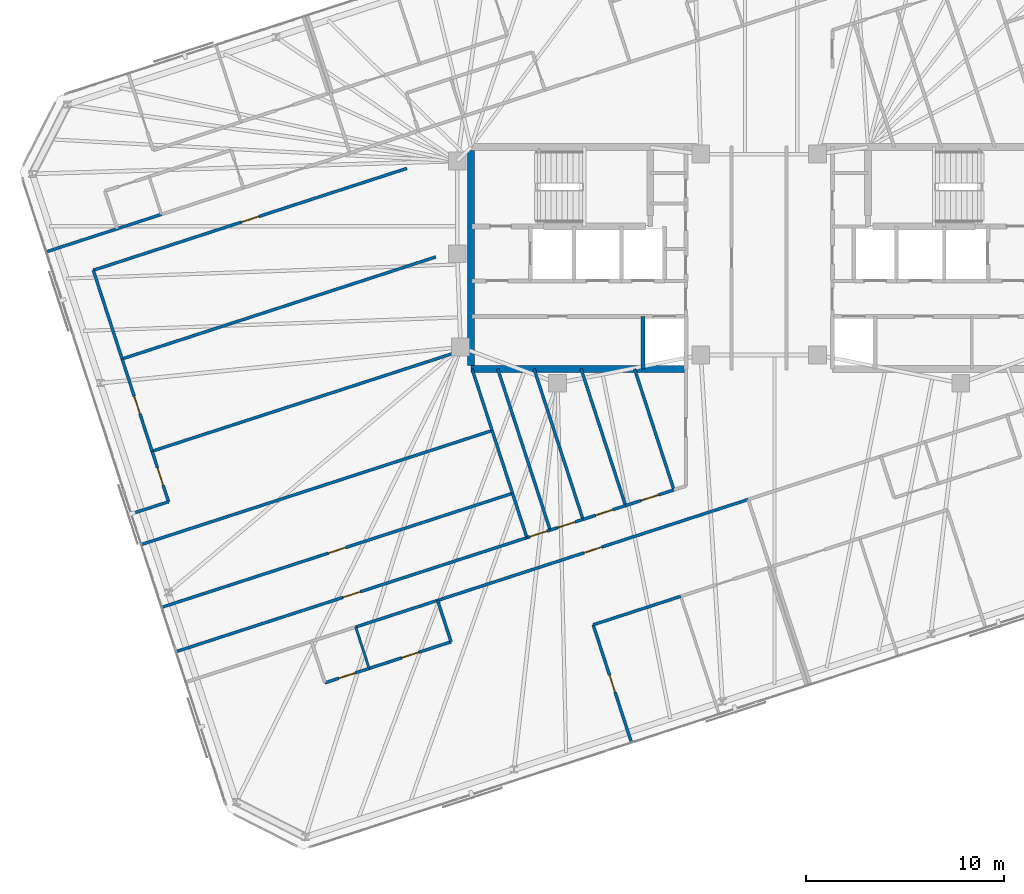
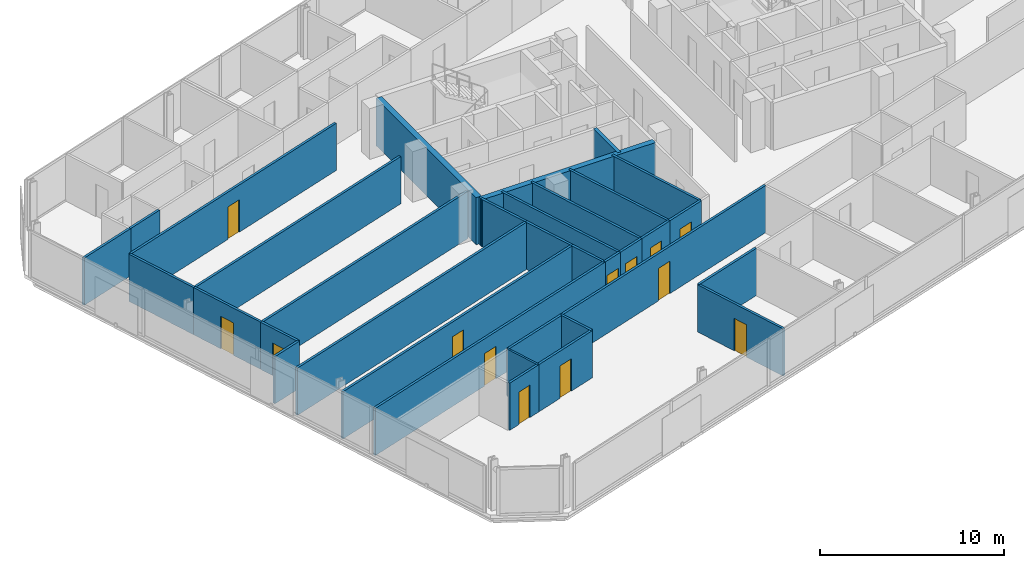
# One storey, part 13 of 20: 34 walls, 13 doors, 13 openings.
"""IFC4 building model written with IfcOpenShell, lengths in metres."""

from ifc_helpers import new_model, si_unit, direction, frame, frame_2d, origin, place, context, subcontext, project, spatial, rectangle, extrude, material, layer, layer_set, type_object, element, fill, save


model = new_model("IFC4")

# Units and contexts
model_context = context("Model", 3, precision=1e-05, world=origin(), true_north=direction((0.0, 1.0)))
body_context = subcontext(model_context, "Body", "Model", "MODEL_VIEW")
ifc_project = project(units=[si_unit("LENGTHUNIT", "METRE"), si_unit("AREAUNIT", "SQUARE_METRE"), si_unit("VOLUMEUNIT", "CUBIC_METRE"), si_unit("PLANEANGLEUNIT", "RADIAN"), si_unit("MASSUNIT", "GRAM", prefix="KILO")], contexts=[model_context])

# Site, building, storey
site_placement = place(None, origin())
site = spatial("IfcSite", under=ifc_project, at=site_placement, CompositionType="ELEMENT")
building_placement = place(site_placement, origin())
building = spatial("IfcBuilding", under=site, at=building_placement, Name="Menara Jurai Vektor", CompositionType="ELEMENT")
storey_placement = place(building_placement, frame((0.0, 0.0, 224.300048828125)))
storey = spatial("IfcBuildingStorey", under=building, at=storey_placement, Name="L59", CompositionType="ELEMENT", Elevation=224.300048828125)

# Walls
ifc_material_1 = material(Name="Gypsum Fireboard Partition", Category="gypsum")
ifc_layer_1 = layer(ifc_material_1, 0.14990234375)
ifc_layer_set_1 = layer_set([ifc_layer_1], Name="Gypsum Fireboard Partition")
wall_type_1 = type_object("IfcWallType", Name="INT-WALL-CORR-150", PredefinedType="PARTITIONING", material=ifc_layer_set_1)
wall_1_placement = place(storey_placement, frame((-36.01220703125, 0.314208984375, 0.0), z_axis=(0.0, 0.0, 1.0), x_axis=(0.951071182868, 0.308971851659, 0.0)))
element("IfcWall", 1, at=wall_1_placement, inside=storey, type_object=wall_type_1, Name="Interior Wall IW-150 L59", PredefinedType="PARTITIONING", context=body_context, shape_type="SweptSolid", body=[
    extrude(rectangle(XDim=3.77001953125, YDim=0.14990234375, at=frame_2d((1.885009765625, 0.0))), origin(), (0.0, 0.0, 1.0), 3.125),
])
wall_2_placement = place(storey_placement, frame((-32.4267578125, 1.47900390625, 0.0), z_axis=(0.0, 0.0, 1.0), x_axis=(0.951045519245, 0.309050837767, 0.0)))
element("IfcWall", 2, at=wall_2_placement, inside=storey, type_object=wall_type_1, Name="Interior Wall IW-150 L59", PredefinedType="PARTITIONING", context=body_context, shape_type="SweptSolid", body=[
    extrude(rectangle(XDim=2.35009765625, YDim=0.14990234375, at=frame_2d((1.175048828125, 0.0))), origin(), (0.0, 0.0, 1.0), 3.125),
])

# Wall, opening, door
wall_3_placement = place(storey_placement, frame((-16.241943359375, -17.292236328125, 0.0), z_axis=(0.0, 0.0, 1.0), x_axis=(0.951056800106, 0.309016120894, 0.0)))
wall_3 = element("IfcWall", 3, at=wall_3_placement, inside=storey, type_object=wall_type_1, Name="Interior Wall IW-150 L59", PredefinedType="PARTITIONING", context=body_context, shape_type="SweptSolid", body=[
    extrude(rectangle(XDim=16.494140625, YDim=0.14990234375, at=frame_2d((8.2470703125, 0.0))), origin(), (0.0, 0.0, 1.0), 3.125),
])
opening_1_placement = place(wall_3_placement, frame((7.77197265625, 0.0, 0.0)))
opening_1 = element("IfcOpeningElement", 4, at=opening_1_placement, cuts=wall_3, Name="Opening D59-30", PredefinedType="OPENING", context=body_context, shape_type="SweptSolid", body=[
    extrude(rectangle(XDim=0.949951171875, YDim=2.14990234375, at=frame_2d((0.47509765625, 1.074951171875))), frame((0.0, 0.0849609375, 0.0), z_axis=(0.0, -1.0, 0.0), x_axis=(1.0, 0.0, 0.0)), (0.0, 0.0, 1.0), 0.169921875),
])
ifc_material_2 = material(Name="Solid Core Timber Fire Door", Category="wood")
door_type_1 = type_object("IfcDoorType", Name="DR-ENTRY-950", OperationType="NOTDEFINED", PredefinedType="DOOR", material=ifc_material_2)
door_1_placement = place(opening_1_placement, origin())
door_1 = element("IfcDoor", 5, at=door_1_placement, inside=storey, type_object=door_type_1, Name="Interior Door D59-30", OperationType="SINGLE_SWING_RIGHT", OverallHeight=2.14990234375, OverallWidth=0.949951171875, PredefinedType="DOOR", context=body_context, shape_type="SweptSolid", body=[
    extrude(rectangle(XDim=0.949951171875, YDim=2.14990234375, at=frame_2d((0.47509765625, 1.074951171875))), frame((0.0, 0.02490234375, 0.0), z_axis=(0.0, -1.0, 0.0), x_axis=(1.0, 0.0, 0.0)), (0.0, 0.0, 1.0), 0.050048828125),
])
fill(opening_1, door_1)

# Wall
wall_4_placement = place(storey_placement, frame((-20.37890625, -18.636474609375, 0.0), z_axis=(0.0, 0.0, 1.0), x_axis=(0.951052627573, 0.309028962374, 0.0)))
element("IfcWall", 6, at=wall_4_placement, inside=storey, type_object=wall_type_1, Name="Interior Wall IW-150 L59", PredefinedType="PARTITIONING", context=body_context, shape_type="SweptSolid", body=[
    extrude(rectangle(XDim=4.349853515625, YDim=0.14990234375, at=frame_2d((2.1748046875, 0.0))), origin(), (0.0, 0.0, 1.0), 3.125),
])

# Wall, opening, door
wall_5_placement = place(storey_placement, frame((-29.450439453125, -19.880615234375, 0.0), z_axis=(0.0, 0.0, 1.0), x_axis=(0.95105650271, 0.309017036186, 0.0)))
wall_5 = element("IfcWall", 7, at=wall_5_placement, inside=storey, type_object=wall_type_1, Name="Interior Wall IW-150 L59", PredefinedType="PARTITIONING", context=body_context, shape_type="SweptSolid", body=[
    extrude(rectangle(XDim=18.6318359375, YDim=0.14990234375, at=frame_2d((9.31591796875, 0.0))), origin(), (0.0, 0.0, 1.0), 3.125),
])
opening_2_placement = place(wall_5_placement, frame((8.85595703125, 0.0, 0.0)))
opening_2 = element("IfcOpeningElement", 8, at=opening_2_placement, cuts=wall_5, Name="Opening D59-40", PredefinedType="OPENING", context=body_context, shape_type="SweptSolid", body=[
    extrude(rectangle(XDim=0.919921875, YDim=2.14990234375, at=frame_2d((0.4599609375, 1.074951171875))), frame((0.0, 0.0849609375, 0.0), z_axis=(0.0, -1.0, 0.0), x_axis=(1.0, 0.0, 0.0)), (0.0, 0.0, 1.0), 0.169921875),
])
door_2_placement = place(opening_2_placement, origin())
door_2 = element("IfcDoor", 9, at=door_2_placement, inside=storey, type_object=door_type_1, Name="Interior Door D59-40", OperationType="SINGLE_SWING_RIGHT", OverallHeight=2.14990234375, OverallWidth=0.919921875, PredefinedType="DOOR", context=body_context, shape_type="SweptSolid", body=[
    extrude(rectangle(XDim=0.919921875, YDim=2.14990234375, at=frame_2d((0.4599609375, 1.074951171875))), frame((0.0, 0.02490234375, 0.0), z_axis=(0.0, -1.0, 0.0), x_axis=(1.0, 0.0, 0.0)), (0.0, 0.0, 1.0), 0.050048828125),
])
fill(opening_2, door_2)

# Wall
wall_6_placement = place(storey_placement, frame((-31.7119140625, -12.9208984375, 0.0), z_axis=(0.0, 0.0, 1.0), x_axis=(0.951054051148, 0.309024581215, 0.0)))
element("IfcWall", 10, at=wall_6_placement, inside=storey, type_object=wall_type_1, Name="Interior Wall IW-150 L59", PredefinedType="PARTITIONING", context=body_context, shape_type="SweptSolid", body=[
    extrude(rectangle(XDim=1.97509765625, YDim=0.14990234375, at=frame_2d((0.987548828125, 0.0))), origin(), (0.0, 0.0, 1.0), 3.125),
])

# Wall, opening, door
wall_7_placement = place(storey_placement, frame((-29.83349609375, -12.310546875, 0.0), z_axis=(0.0, 0.0, 1.0), x_axis=(-0.309044953986, 0.951047431213, 0.0)))
wall_7 = element("IfcWall", 11, at=wall_7_placement, inside=storey, type_object=wall_type_1, Name="Interior Wall IW-150 L59", PredefinedType="PARTITIONING", context=body_context, shape_type="SweptSolid", body=[
    extrude(rectangle(XDim=2.68505859375, YDim=0.14990234375, at=frame_2d((1.342529296875, 0.0))), origin(), (0.0, 0.0, 1.0), 3.125),
])
opening_3_placement = place(wall_7_placement, frame((0.882568359375, 0.0, 0.0)))
opening_3 = element("IfcOpeningElement", 12, at=opening_3_placement, cuts=wall_7, Name="Opening D59-42", PredefinedType="OPENING", context=body_context, shape_type="SweptSolid", body=[
    extrude(rectangle(XDim=0.919921875, YDim=2.14990234375, at=frame_2d((0.4599609375, 1.074951171875))), frame((0.0, 0.0849609375, 0.0), z_axis=(0.0, -1.0, 0.0), x_axis=(1.0, 0.0, 0.0)), (0.0, 0.0, 1.0), 0.169921875),
])
door_3_placement = place(opening_3_placement, origin())
door_3 = element("IfcDoor", 13, at=door_3_placement, inside=storey, type_object=door_type_1, Name="Interior Door D59-42", OperationType="SINGLE_SWING_RIGHT", OverallHeight=2.14990234375, OverallWidth=0.919921875, PredefinedType="DOOR", context=body_context, shape_type="SweptSolid", body=[
    extrude(rectangle(XDim=0.919921875, YDim=2.14990234375, at=frame_2d((0.4599609375, 1.074951171875))), frame((0.0, 0.02490234375, 0.0), z_axis=(0.0, -1.0, 0.0), x_axis=(1.0, 0.0, 0.0)), (0.0, 0.0, 1.0), 0.050048828125),
])
fill(opening_3, door_3)

wall_8_placement = place(storey_placement, frame((-30.663330078125, -9.7568359375, 0.0), z_axis=(0.0, 0.0, 1.0), x_axis=(-0.309019653166, 0.951055652397, 0.0)))
wall_8 = element("IfcWall", 14, at=wall_8_placement, inside=storey, type_object=wall_type_1, Name="Interior Wall IW-150 L59", PredefinedType="PARTITIONING", context=body_context, shape_type="SweptSolid", body=[
    extrude(rectangle(XDim=4.90380859375, YDim=0.14990234375, at=frame_2d((2.451904296875, 0.0))), origin(), (0.0, 0.0, 1.0), 3.125),
])
opening_4_placement = place(wall_8_placement, frame((1.991943359375, 0.0, 0.0)))
opening_4 = element("IfcOpeningElement", 15, at=opening_4_placement, cuts=wall_8, Name="Opening D59-43", PredefinedType="OPENING", context=body_context, shape_type="SweptSolid", body=[
    extrude(rectangle(XDim=0.919921875, YDim=2.14990234375, at=frame_2d((0.4599609375, 1.074951171875))), frame((0.0, 0.0849609375, 0.0), z_axis=(0.0, -1.0, 0.0), x_axis=(1.0, 0.0, 0.0)), (0.0, 0.0, 1.0), 0.169921875),
])
door_4_placement = place(opening_4_placement, origin())
door_4 = element("IfcDoor", 16, at=door_4_placement, inside=storey, type_object=door_type_1, Name="Interior Door D59-43", OperationType="SINGLE_SWING_LEFT", OverallHeight=2.14990234375, OverallWidth=0.919921875, PredefinedType="DOOR", context=body_context, shape_type="SweptSolid", body=[
    extrude(rectangle(XDim=0.919921875, YDim=2.14990234375, at=frame_2d((0.4599609375, 1.074951171875))), frame((0.0, 0.02490234375, 0.0), z_axis=(0.0, -1.0, 0.0), x_axis=(1.0, 0.0, 0.0)), (0.0, 0.0, 1.0), 0.050048828125),
])
fill(opening_4, door_4)

# Wall
wall_9_placement = place(storey_placement, frame((-32.1787109375, -5.093017578125, 0.0), z_axis=(0.0, 0.0, 1.0), x_axis=(-0.309014532869, 0.951057316083, 0.0)))
element("IfcWall", 17, at=wall_9_placement, inside=storey, type_object=wall_type_1, Name="Interior Wall IW-150 L59", PredefinedType="PARTITIONING", context=body_context, shape_type="SweptSolid", body=[
    extrude(rectangle(XDim=4.707275390625, YDim=0.14990234375, at=frame_2d((2.353515625, 0.0))), origin(), (0.0, 0.0, 1.0), 3.125),
])

# Wall, opening, door
wall_10_placement = place(storey_placement, frame((-33.63330078125, -0.6162109375, 0.0), z_axis=(0.0, 0.0, 1.0), x_axis=(0.951058192995, 0.309011833974, 0.0)))
wall_10 = element("IfcWall", 18, at=wall_10_placement, inside=storey, type_object=wall_type_1, Name="Interior Wall IW-150 L59", PredefinedType="PARTITIONING", context=body_context, shape_type="SweptSolid", body=[
    extrude(rectangle(XDim=16.656982421875, YDim=0.14990234375, at=frame_2d((8.32861328125, 0.0))), origin(), (0.0, 0.0, 1.0), 3.125),
])
opening_5_placement = place(wall_10_placement, frame((7.868408203125, 0.0, 0.0)))
opening_5 = element("IfcOpeningElement", 19, at=opening_5_placement, cuts=wall_10, Name="Opening D59-44", PredefinedType="OPENING", context=body_context, shape_type="SweptSolid", body=[
    extrude(rectangle(XDim=0.919921875, YDim=2.14990234375, at=frame_2d((0.4599609375, 1.074951171875))), frame((0.0, 0.0849609375, 0.0), z_axis=(0.0, -1.0, 0.0), x_axis=(1.0, 0.0, 0.0)), (0.0, 0.0, 1.0), 0.169921875),
])
door_5_placement = place(opening_5_placement, origin())
door_5 = element("IfcDoor", 20, at=door_5_placement, inside=storey, type_object=door_type_1, Name="Interior Door D59-44", OperationType="SINGLE_SWING_RIGHT", OverallHeight=2.14990234375, OverallWidth=0.919921875, PredefinedType="DOOR", context=body_context, shape_type="SweptSolid", body=[
    extrude(rectangle(XDim=0.919921875, YDim=2.14990234375, at=frame_2d((0.4599609375, 1.074951171875))), frame((0.0, 0.02490234375, 0.0), z_axis=(0.0, -1.0, 0.0), x_axis=(1.0, 0.0, 0.0)), (0.0, 0.0, 1.0), 0.050048828125),
])
fill(opening_5, door_5)

wall_11_placement = place(storey_placement, frame((-11.73046875, -14.123046875, 0.0), z_axis=(0.0, 0.0, 1.0), x_axis=(0.951032613602, 0.309090549622, 0.0)))
wall_11 = element("IfcWall", 21, at=wall_11_placement, inside=storey, type_object=wall_type_1, Name="Interior Wall IW-150 L59", PredefinedType="PARTITIONING", context=body_context, shape_type="SweptSolid", body=[
    extrude(rectangle(XDim=1.23291015625, YDim=0.14990234375, at=frame_2d((0.616455078125, 0.0))), origin(), (0.0, 0.0, 1.0), 3.125),
])
opening_6_placement = place(wall_11_placement, frame((0.156494140625, 0.0, 0.0)))
opening_6 = element("IfcOpeningElement", 22, at=opening_6_placement, cuts=wall_11, Name="Opening D59-45", PredefinedType="OPENING", context=body_context, shape_type="SweptSolid", body=[
    extrude(rectangle(XDim=0.919921875, YDim=2.14990234375, at=frame_2d((0.4599609375, 1.074951171875))), frame((0.0, 0.0849609375, 0.0), z_axis=(0.0, -1.0, 0.0), x_axis=(1.0, 0.0, 0.0)), (0.0, 0.0, 1.0), 0.169921875),
])
door_6_placement = place(opening_6_placement, origin())
door_6 = element("IfcDoor", 23, at=door_6_placement, inside=storey, type_object=door_type_1, Name="Interior Door D59-45", OperationType="SINGLE_SWING_LEFT", OverallHeight=2.14990234375, OverallWidth=0.919921875, PredefinedType="DOOR", context=body_context, shape_type="SweptSolid", body=[
    extrude(rectangle(XDim=0.919921875, YDim=2.14990234375, at=frame_2d((0.4599609375, 1.074951171875))), frame((0.0, 0.02490234375, 0.0), z_axis=(0.0, -1.0, 0.0), x_axis=(1.0, 0.0, 0.0)), (0.0, 0.0, 1.0), 0.050048828125),
])
fill(opening_6, door_6)

wall_12_placement = place(storey_placement, frame((-10.557861328125, -13.741943359375, 0.0), z_axis=(0.0, 0.0, 1.0), x_axis=(0.951060780507, 0.309003870173, 0.0)))
wall_12 = element("IfcWall", 24, at=wall_12_placement, inside=storey, type_object=wall_type_1, Name="Interior Wall IW-150 L59", PredefinedType="PARTITIONING", context=body_context, shape_type="SweptSolid", body=[
    extrude(rectangle(XDim=1.74609375, YDim=0.14990234375, at=frame_2d((0.873046875, 0.0))), origin(), (0.0, 0.0, 1.0), 3.125),
])
opening_7_placement = place(wall_12_placement, frame((0.4130859375, 0.0, 0.0)))
opening_7 = element("IfcOpeningElement", 25, at=opening_7_placement, cuts=wall_12, Name="Opening D59-46", PredefinedType="OPENING", context=body_context, shape_type="SweptSolid", body=[
    extrude(rectangle(XDim=0.919921875, YDim=2.14990234375, at=frame_2d((0.4599609375, 1.074951171875))), frame((0.0, 0.0849609375, 0.0), z_axis=(0.0, -1.0, 0.0), x_axis=(1.0, 0.0, 0.0)), (0.0, 0.0, 1.0), 0.169921875),
])
door_7_placement = place(opening_7_placement, origin())
door_7 = element("IfcDoor", 26, at=door_7_placement, inside=storey, type_object=door_type_1, Name="Interior Door D59-46", OperationType="SINGLE_SWING_RIGHT", OverallHeight=2.14990234375, OverallWidth=0.919921875, PredefinedType="DOOR", context=body_context, shape_type="SweptSolid", body=[
    extrude(rectangle(XDim=0.919921875, YDim=2.14990234375, at=frame_2d((0.4599609375, 1.074951171875))), frame((0.0, 0.02490234375, 0.0), z_axis=(0.0, -1.0, 0.0), x_axis=(1.0, 0.0, 0.0)), (0.0, 0.0, 1.0), 0.050048828125),
])
fill(opening_7, door_7)

wall_13_placement = place(storey_placement, frame((-8.897216796875, -13.202392578125, 0.0), z_axis=(0.0, 0.0, 1.0), x_axis=(0.951065832698, 0.308988319964, 0.0)))
wall_13 = element("IfcWall", 27, at=wall_13_placement, inside=storey, type_object=wall_type_1, Name="Interior Wall IW-150 L59", PredefinedType="PARTITIONING", context=body_context, shape_type="SweptSolid", body=[
    extrude(rectangle(XDim=2.259033203125, YDim=0.14990234375, at=frame_2d((1.12939453125, 0.0))), origin(), (0.0, 0.0, 1.0), 3.125),
])
opening_8_placement = place(wall_13_placement, frame((0.66943359375, 0.0, 0.0)))
opening_8 = element("IfcOpeningElement", 28, at=opening_8_placement, cuts=wall_13, Name="Opening D59-47", PredefinedType="OPENING", context=body_context, shape_type="SweptSolid", body=[
    extrude(rectangle(XDim=0.919921875, YDim=2.14990234375, at=frame_2d((0.4599609375, 1.074951171875))), frame((0.0, 0.0849609375, 0.0), z_axis=(0.0, -1.0, 0.0), x_axis=(1.0, 0.0, 0.0)), (0.0, 0.0, 1.0), 0.169921875),
])
door_8_placement = place(opening_8_placement, origin())
door_8 = element("IfcDoor", 29, at=door_8_placement, inside=storey, type_object=door_type_1, Name="Interior Door D59-47", OperationType="SINGLE_SWING_LEFT", OverallHeight=2.14990234375, OverallWidth=0.919921875, PredefinedType="DOOR", context=body_context, shape_type="SweptSolid", body=[
    extrude(rectangle(XDim=0.919921875, YDim=2.14990234375, at=frame_2d((0.4599609375, 1.074951171875))), frame((0.0, 0.02490234375, 0.0), z_axis=(0.0, -1.0, 0.0), x_axis=(1.0, 0.0, 0.0)), (0.0, 0.0, 1.0), 0.050048828125),
])
fill(opening_8, door_8)

wall_14_placement = place(storey_placement, frame((-6.748779296875, -12.50439453125, 0.0), z_axis=(0.0, 0.0, 1.0), x_axis=(0.951042451835, 0.309060276981, 0.0)))
wall_14 = element("IfcWall", 30, at=wall_14_placement, inside=storey, type_object=wall_type_1, Name="Interior Wall IW-150 L59", PredefinedType="PARTITIONING", context=body_context, shape_type="SweptSolid", body=[
    extrude(rectangle(XDim=2.568115234375, YDim=0.14990234375, at=frame_2d((1.2841796875, 0.0))), origin(), (0.0, 0.0, 1.0), 3.125),
])
opening_9_placement = place(wall_14_placement, frame((0.823974609375, 0.0, 0.0)))
opening_9 = element("IfcOpeningElement", 31, at=opening_9_placement, cuts=wall_14, Name="Opening D59-48", PredefinedType="OPENING", context=body_context, shape_type="SweptSolid", body=[
    extrude(rectangle(XDim=0.919921875, YDim=2.14990234375, at=frame_2d((0.4599609375, 1.074951171875))), frame((0.0, 0.0849609375, 0.0), z_axis=(0.0, -1.0, 0.0), x_axis=(1.0, 0.0, 0.0)), (0.0, 0.0, 1.0), 0.169921875),
])
door_9_placement = place(opening_9_placement, origin())
door_9 = element("IfcDoor", 32, at=door_9_placement, inside=storey, type_object=door_type_1, Name="Interior Door D59-48", OperationType="SINGLE_SWING_RIGHT", OverallHeight=2.14990234375, OverallWidth=0.919921875, PredefinedType="DOOR", context=body_context, shape_type="SweptSolid", body=[
    extrude(rectangle(XDim=0.919921875, YDim=2.14990234375, at=frame_2d((0.4599609375, 1.074951171875))), frame((0.0, 0.02490234375, 0.0), z_axis=(0.0, -1.0, 0.0), x_axis=(1.0, 0.0, 0.0)), (0.0, 0.0, 1.0), 0.050048828125),
])
fill(opening_9, door_9)

wall_15_placement = place(storey_placement, frame((-21.93408203125, -21.455078125, 0.0), z_axis=(0.0, 0.0, 1.0), x_axis=(0.951035595692, 0.309081373955, 0.0)))
wall_15 = element("IfcWall", 33, at=wall_15_placement, inside=storey, type_object=wall_type_1, Name="Interior Wall IW-150 L59", PredefinedType="PARTITIONING", context=body_context, shape_type="SweptSolid", body=[
    extrude(rectangle(XDim=2.349853515625, YDim=0.14990234375, at=frame_2d((1.1748046875, 0.0))), origin(), (0.0, 0.0, 1.0), 3.125),
])
opening_10_placement = place(wall_15_placement, frame((0.735107421875, 0.0, 0.0)))
opening_10 = element("IfcOpeningElement", 34, at=opening_10_placement, cuts=wall_15, Name="Opening D59-31", PredefinedType="OPENING", context=body_context, shape_type="SweptSolid", body=[
    extrude(rectangle(XDim=0.8798828125, YDim=2.14990234375, at=frame_2d((0.43994140625, 1.074951171875))), frame((0.0, 0.0849609375, 0.0), z_axis=(0.0, -1.0, 0.0), x_axis=(1.0, 0.0, 0.0)), (0.0, 0.0, 1.0), 0.169921875),
])
ifc_material_3 = material(Name="Moisture-Resistant Timber Door", Category="wood")
door_type_2 = type_object("IfcDoorType", Name="DR-BATH-880", OperationType="NOTDEFINED", PredefinedType="DOOR", material=ifc_material_3)
door_10_placement = place(opening_10_placement, origin())
door_10 = element("IfcDoor", 35, at=door_10_placement, inside=storey, type_object=door_type_2, Name="Interior Door D59-31", OperationType="SINGLE_SWING_LEFT", OverallHeight=2.14990234375, OverallWidth=0.8798828125, PredefinedType="DOOR", context=body_context, shape_type="SweptSolid", body=[
    extrude(rectangle(XDim=0.8798828125, YDim=2.14990234375, at=frame_2d((0.43994140625, 1.074951171875))), frame((0.0, 0.02490234375, 0.0), z_axis=(0.0, -1.0, 0.0), x_axis=(1.0, 0.0, 0.0)), (0.0, 0.0, 1.0), 0.050048828125),
])
fill(opening_10, door_10)

wall_16_placement = place(storey_placement, frame((-19.69921875, -20.728759765625, 0.0), z_axis=(0.0, 0.0, 1.0), x_axis=(0.951057987102, 0.309012467661, 0.0)))
wall_16 = element("IfcWall", 36, at=wall_16_placement, inside=storey, type_object=wall_type_1, Name="Interior Wall IW-150 L59", PredefinedType="PARTITIONING", context=body_context, shape_type="SweptSolid", body=[
    extrude(rectangle(XDim=4.35009765625, YDim=0.14990234375, at=frame_2d((2.175048828125, 0.0))), origin(), (0.0, 0.0, 1.0), 3.125),
])
opening_11_placement = place(wall_16_placement, frame((1.72509765625, 0.0, 0.0)))
opening_11 = element("IfcOpeningElement", 37, at=opening_11_placement, cuts=wall_16, Name="Opening D59-32", PredefinedType="OPENING", context=body_context, shape_type="SweptSolid", body=[
    extrude(rectangle(XDim=0.89990234375, YDim=2.14990234375, at=frame_2d((0.449951171875, 1.074951171875))), frame((0.0, 0.0849609375, 0.0), z_axis=(0.0, -1.0, 0.0), x_axis=(1.0, 0.0, 0.0)), (0.0, 0.0, 1.0), 0.169921875),
])
ifc_material_4 = material(Name="Acoustic Timber Interior Door", Category="wood")
door_type_3 = type_object("IfcDoorType", Name="DR-ROOM-900", OperationType="NOTDEFINED", PredefinedType="DOOR", material=ifc_material_4)
door_11_placement = place(opening_11_placement, origin())
door_11 = element("IfcDoor", 38, at=door_11_placement, inside=storey, type_object=door_type_3, Name="Interior Door D59-32", OperationType="SINGLE_SWING_RIGHT", OverallHeight=2.14990234375, OverallWidth=0.89990234375, PredefinedType="DOOR", context=body_context, shape_type="SweptSolid", body=[
    extrude(rectangle(XDim=0.89990234375, YDim=2.14990234375, at=frame_2d((0.449951171875, 1.074951171875))), frame((0.0, 0.02490234375, 0.0), z_axis=(0.0, -1.0, 0.0), x_axis=(1.0, 0.0, 0.0)), (0.0, 0.0, 1.0), 0.050048828125),
])
fill(opening_11, door_11)

# Wall
wall_17_placement = place(storey_placement, frame((-15.56201171875, -19.384521484375, 0.0), z_axis=(0.0, 0.0, 1.0), x_axis=(-0.309060979314, 0.951042223598, 0.0)))
element("IfcWall", 39, at=wall_17_placement, inside=storey, type_object=wall_type_1, Name="Interior Wall IW-150 L59", PredefinedType="PARTITIONING", context=body_context, shape_type="SweptSolid", body=[
    extrude(rectangle(XDim=2.199951171875, YDim=0.14990234375, at=frame_2d((1.10009765625, 0.0))), origin(), (0.0, 0.0, 1.0), 3.125),
])

# Wall, opening, door
wall_18_placement = place(storey_placement, frame((-6.447509765625, -24.4794921875, 0.0), z_axis=(0.0, 0.0, 1.0), x_axis=(-0.309049046683, 0.951046101272, 0.0)))
wall_18 = element("IfcWall", 40, at=wall_18_placement, inside=storey, type_object=wall_type_1, Name="Interior Wall IW-150 L59", PredefinedType="PARTITIONING", context=body_context, shape_type="SweptSolid", body=[
    extrude(rectangle(XDim=6.26220703125, YDim=0.14990234375, at=frame_2d((3.131103515625, 0.0))), origin(), (0.0, 0.0, 1.0), 3.125),
])
opening_12_placement = place(wall_18_placement, frame((2.680908203125, 0.0, 0.0)))
opening_12 = element("IfcOpeningElement", 41, at=opening_12_placement, cuts=wall_18, Name="Opening D59-33", PredefinedType="OPENING", context=body_context, shape_type="SweptSolid", body=[
    extrude(rectangle(XDim=0.89990234375, YDim=2.14990234375, at=frame_2d((0.449951171875, 1.074951171875))), frame((0.0, 0.0849609375, 0.0), z_axis=(0.0, -1.0, 0.0), x_axis=(1.0, 0.0, 0.0)), (0.0, 0.0, 1.0), 0.169921875),
])
door_12_placement = place(opening_12_placement, origin())
door_12 = element("IfcDoor", 42, at=door_12_placement, inside=storey, type_object=door_type_3, Name="Interior Door D59-33", OperationType="SINGLE_SWING_LEFT", OverallHeight=2.14990234375, OverallWidth=0.89990234375, PredefinedType="DOOR", context=body_context, shape_type="SweptSolid", body=[
    extrude(rectangle(XDim=0.89990234375, YDim=2.14990234375, at=frame_2d((0.449951171875, 1.074951171875))), frame((0.0, 0.02490234375, 0.0), z_axis=(0.0, -1.0, 0.0), x_axis=(1.0, 0.0, 0.0)), (0.0, 0.0, 1.0), 0.050048828125),
])
fill(opening_12, door_12)

# Wall
wall_19_placement = place(storey_placement, frame((-8.3828125, -18.52392578125, 0.0), z_axis=(0.0, 0.0, 1.0), x_axis=(0.951055286502, 0.309020779263, 0.0)))
element("IfcWall", 43, at=wall_19_placement, inside=storey, type_object=wall_type_1, Name="Interior Wall IW-150 L59", PredefinedType="PARTITIONING", context=body_context, shape_type="SweptSolid", body=[
    extrude(rectangle(XDim=4.650146484375, YDim=0.14990234375, at=frame_2d((2.3251953125, 0.0))), origin(), (0.0, 0.0, 1.0), 3.125),
])

# Wall, opening, door
wall_20_placement = place(storey_placement, frame((-30.177978515625, -17.641845703125, 0.0), z_axis=(0.0, 0.0, 1.0), x_axis=(0.95105650271, 0.309017036186, 0.0)))
wall_20 = element("IfcWall", 44, at=wall_20_placement, inside=storey, type_object=wall_type_1, Name="Interior Wall IW-150 L59", PredefinedType="PARTITIONING", context=body_context, shape_type="SweptSolid", body=[
    extrude(rectangle(XDim=18.6318359375, YDim=0.14990234375, at=frame_2d((9.31591796875, 0.0))), origin(), (0.0, 0.0, 1.0), 3.125),
])
opening_13_placement = place(wall_20_placement, frame((8.85595703125, 0.0, 0.0)))
opening_13 = element("IfcOpeningElement", 45, at=opening_13_placement, cuts=wall_20, Name="Opening D59-41", PredefinedType="OPENING", context=body_context, shape_type="SweptSolid", body=[
    extrude(rectangle(XDim=0.919921875, YDim=2.14990234375, at=frame_2d((0.4599609375, 1.074951171875))), frame((0.0, 0.0849609375, 0.0), z_axis=(0.0, -1.0, 0.0), x_axis=(1.0, 0.0, 0.0)), (0.0, 0.0, 1.0), 0.169921875),
])
door_13_placement = place(opening_13_placement, origin())
door_13 = element("IfcDoor", 46, at=door_13_placement, inside=storey, type_object=door_type_1, Name="Interior Door D59-41", OperationType="SINGLE_SWING_LEFT", OverallHeight=2.14990234375, OverallWidth=0.919921875, PredefinedType="DOOR", context=body_context, shape_type="SweptSolid", body=[
    extrude(rectangle(XDim=0.919921875, YDim=2.14990234375, at=frame_2d((0.4599609375, 1.074951171875))), frame((0.0, 0.02490234375, 0.0), z_axis=(0.0, -1.0, 0.0), x_axis=(1.0, 0.0, 0.0)), (0.0, 0.0, 1.0), 0.050048828125),
])
fill(opening_13, door_13)

# Walls
wall_21_placement = place(storey_placement, frame((-11.73046875, -14.123046875, 0.0), z_axis=(0.0, 0.0, 1.0), x_axis=(-0.309062621189, 0.951041690035, 0.0)))
element("IfcWall", 47, at=wall_21_placement, inside=storey, type_object=wall_type_1, Name="Interior Wall IW-150 L59", PredefinedType="PARTITIONING", context=body_context, shape_type="SweptSolid", body=[
    extrude(rectangle(XDim=2.35400390625, YDim=0.14990234375, at=frame_2d((1.177001953125, 0.0))), origin(), (0.0, 0.0, 1.0), 3.125),
])
wall_22_placement = place(storey_placement, frame((-31.208251953125, -14.470947265625, 0.0), z_axis=(0.0, 0.0, 1.0), x_axis=(0.951057753948, 0.309013185244, 0.0)))
element("IfcWall", 48, at=wall_22_placement, inside=storey, type_object=wall_type_1, Name="Interior Wall IW-150 L59", PredefinedType="PARTITIONING", context=body_context, shape_type="SweptSolid", body=[
    extrude(rectangle(XDim=18.632080078125, YDim=0.14990234375, at=frame_2d((9.31591796875, 0.0))), origin(), (0.0, 0.0, 1.0), 3.125),
])
wall_23_placement = place(storey_placement, frame((-12.4580078125, -11.88427734375, 0.0), z_axis=(0.0, 0.0, 1.0), x_axis=(-0.308946982245, 0.951079261766, 0.0)))
element("IfcWall", 49, at=wall_23_placement, inside=storey, type_object=wall_type_1, Name="Interior Wall IW-150 L59", PredefinedType="PARTITIONING", context=body_context, shape_type="SweptSolid", body=[
    extrude(rectangle(XDim=3.333984375, YDim=0.14990234375, at=frame_2d((1.6669921875, 0.0))), origin(), (0.0, 0.0, 1.0), 3.125),
])
wall_24_placement = place(storey_placement, frame((-30.663330078125, -9.7568359375, 0.0), z_axis=(0.0, 0.0, 1.0), x_axis=(0.951058192995, 0.309011833974, 0.0)))
element("IfcWall", 50, at=wall_24_placement, inside=storey, type_object=wall_type_1, Name="Interior Wall IW-150 L59", PredefinedType="PARTITIONING", context=body_context, shape_type="SweptSolid", body=[
    extrude(rectangle(XDim=16.656982421875, YDim=0.14990234375, at=frame_2d((8.32861328125, 0.0))), origin(), (0.0, 0.0, 1.0), 3.125),
])
wall_25_placement = place(storey_placement, frame((-13.488037109375, -8.71337890625, 0.0), z_axis=(0.0, 0.0, 1.0), x_axis=(-0.309082700143, 0.951035164687, 0.0)))
element("IfcWall", 51, at=wall_25_placement, inside=storey, type_object=wall_type_1, Name="Interior Wall IW-150 L59", PredefinedType="PARTITIONING", context=body_context, shape_type="SweptSolid", body=[
    extrude(rectangle(XDim=3.274169921875, YDim=0.14990234375, at=frame_2d((1.63720703125, 0.0))), origin(), (0.0, 0.0, 1.0), 3.125),
])
wall_26_placement = place(storey_placement, frame((-32.1787109375, -5.093017578125, 0.0), z_axis=(0.0, 0.0, 1.0), x_axis=(0.951053885426, 0.309025091239, 0.0)))
element("IfcWall", 52, at=wall_26_placement, inside=storey, type_object=wall_type_1, Name="Interior Wall IW-150 L59", PredefinedType="PARTITIONING", context=body_context, shape_type="SweptSolid", body=[
    extrude(rectangle(XDim=16.656982421875, YDim=0.14990234375, at=frame_2d((8.32861328125, 0.0))), origin(), (0.0, 0.0, 1.0), 3.125),
])
wall_27_placement = place(storey_placement, frame((-10.557861328125, -13.741943359375, 0.0), z_axis=(0.0, 0.0, 1.0), x_axis=(-0.309023521796, 0.951054395383, 0.0)))
element("IfcWall", 53, at=wall_27_placement, inside=storey, type_object=wall_type_1, Name="Interior Wall IW-150 L59", PredefinedType="PARTITIONING", context=body_context, shape_type="SweptSolid", body=[
    extrude(rectangle(XDim=8.560791015625, YDim=0.14990234375, at=frame_2d((4.2802734375, 0.0))), origin(), (0.0, 0.0, 1.0), 3.125),
])
wall_28_placement = place(storey_placement, frame((-8.897216796875, -13.202392578125, 0.0), z_axis=(0.0, 0.0, 1.0), x_axis=(-0.309008036968, 0.951059426687, 0.0)))
element("IfcWall", 54, at=wall_28_placement, inside=storey, type_object=wall_type_1, Name="Interior Wall IW-150 L59", PredefinedType="PARTITIONING", context=body_context, shape_type="SweptSolid", body=[
    extrude(rectangle(XDim=7.993896484375, YDim=0.14990234375, at=frame_2d((3.9970703125, 0.0))), origin(), (0.0, 0.0, 1.0), 3.125),
])
wall_29_placement = place(storey_placement, frame((-6.748779296875, -12.50439453125, 0.0), z_axis=(0.0, 0.0, 1.0), x_axis=(-0.309005471061, 0.95106026037, 0.0)))
element("IfcWall", 55, at=wall_29_placement, inside=storey, type_object=wall_type_1, Name="Interior Wall IW-150 L59", PredefinedType="PARTITIONING", context=body_context, shape_type="SweptSolid", body=[
    extrude(rectangle(XDim=7.260009765625, YDim=0.14990234375, at=frame_2d((3.6298828125, 0.0))), origin(), (0.0, 0.0, 1.0), 3.125),
])
wall_30_placement = place(storey_placement, frame((-4.306396484375, -11.710693359375, 0.0), z_axis=(0.0, 0.0, 1.0), x_axis=(-0.309048266124, 0.951046354919, 0.0)))
element("IfcWall", 56, at=wall_30_placement, inside=storey, type_object=wall_type_1, Name="Interior Wall IW-150 L59", PredefinedType="PARTITIONING", context=body_context, shape_type="SweptSolid", body=[
    extrude(rectangle(XDim=6.4248046875, YDim=0.14990234375, at=frame_2d((3.21240234375, 0.0))), origin(), (0.0, 0.0, 1.0), 3.125),
])
ifc_material_5 = material(Name="Gypsum Acoustic Stud Partition", Category="gypsum")
ifc_layer_2 = layer(ifc_material_5, 0.1201171875)
ifc_layer_set_2 = layer_set([ifc_layer_2], Name="Gypsum Acoustic Stud Partition")
wall_type_2 = type_object("IfcWallType", Name="INT-WALL-PART-120", PredefinedType="PARTITIONING", material=ifc_layer_set_2)
wall_31_placement = place(storey_placement, frame((-19.69921875, -20.728759765625, 0.0), z_axis=(0.0, 0.0, 1.0), x_axis=(-0.308960600764, 0.951074837842, 0.0)))
element("IfcWall", 57, at=wall_31_placement, inside=storey, type_object=wall_type_2, Name="Interior Wall IW-120 L59", PredefinedType="PARTITIONING", context=body_context, shape_type="SweptSolid", body=[
    extrude(rectangle(XDim=2.199951171875, YDim=0.1201171875, at=frame_2d((1.10009765625, 0.0))), origin(), (0.0, 0.0, 1.0), 3.125),
])
ifc_material_6 = material(Name="Concrete C40/50", Category="concrete")
ifc_layer_3 = layer(ifc_material_6, 0.199951171875)
ifc_layer_set_3 = layer_set([ifc_layer_3], Name="Concrete C40/50")
wall_type_3 = type_object("IfcWallType", Name="INT-WALL-SHAFT-200", PredefinedType="STANDARD", material=ifc_layer_set_3)
wall_32_placement = place(storey_placement, frame((-5.860107421875, -5.60009765625, 0.0), z_axis=(0.0, 0.0, 1.0), x_axis=(0.0, 1.0, 0.0)))
element("IfcWall", 58, at=wall_32_placement, inside=storey, type_object=wall_type_3, Name="Interior Wall IW-200 L59", PredefinedType="STANDARD", context=body_context, shape_type="SweptSolid", body=[
    extrude(rectangle(XDim=2.650146484375, YDim=0.199951171875, at=frame_2d((1.3251953125, 0.0))), origin(), (0.0, 0.0, 1.0), 3.125),
])
ifc_material_7 = material(Name="Concrete C50/60", Category="concrete")
ifc_layer_4 = layer(ifc_material_7, 0.35009765625)
ifc_layer_set_4 = layer_set([ifc_layer_4], Name="Concrete C50/60")
wall_type_4 = type_object("IfcWallType", Name="STR-WALL-CORE350", PredefinedType="SHEAR", material=ifc_layer_set_4)
wall_33_placement = place(storey_placement, frame((-14.56005859375, -5.60009765625, 0.0), z_axis=(0.0, 0.0, 1.0), x_axis=(1.0, 0.0, 0.0)))
element("IfcWall", 59, at=wall_33_placement, inside=storey, type_object=wall_type_4, Name="Core Shear Wall CW-W-S L59", PredefinedType="SHEAR", context=body_context, shape_type="SweptSolid", body=[
    extrude(rectangle(XDim=10.860107421875, YDim=0.35009765625, at=frame_2d((5.43017578125, 0.0))), origin(), (0.0, 0.0, 1.0), 3.125),
])
wall_34_placement = place(storey_placement, frame((-14.56005859375, -5.425048828125, 0.0), z_axis=(0.0, 0.0, 1.0), x_axis=(0.0, 1.0, 0.0)))
element("IfcWall", 60, at=wall_34_placement, inside=storey, type_object=wall_type_4, Name="Core Shear Wall CW-W-W L59", PredefinedType="SHEAR", context=body_context, shape_type="SweptSolid", body=[
    extrude(rectangle(XDim=10.85009765625, YDim=0.35009765625, at=frame_2d((5.425048828125, 0.0))), origin(), (0.0, 0.0, 1.0), 3.125),
])

save(model, "model.ifc")
